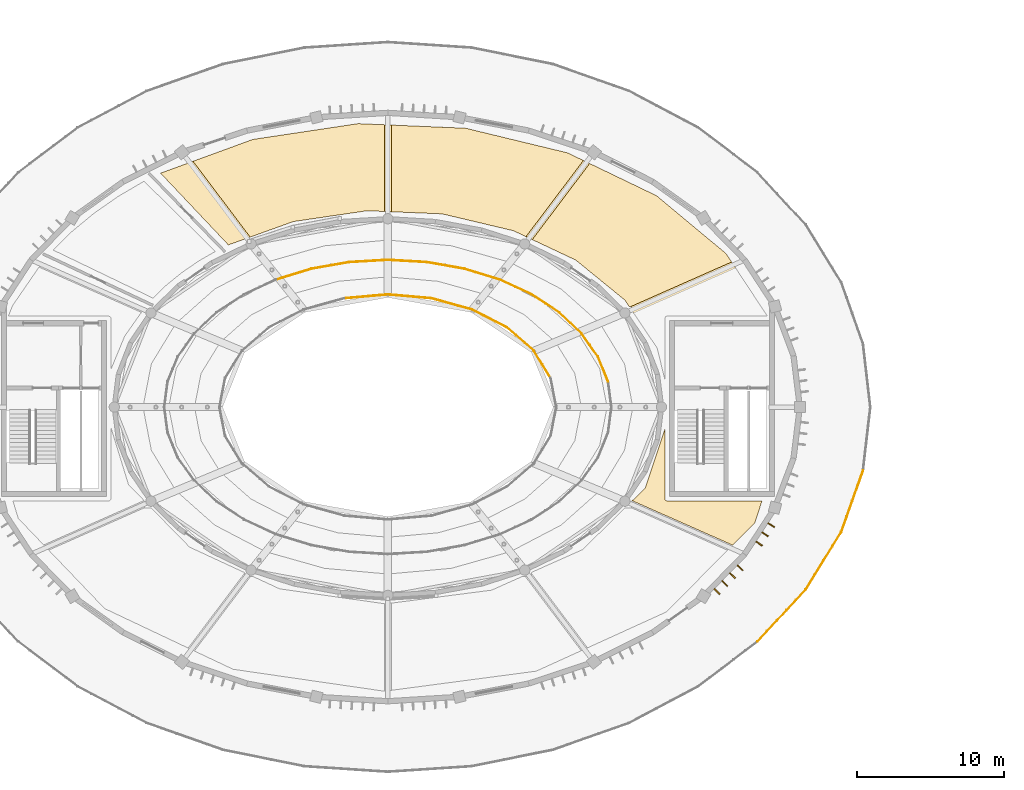
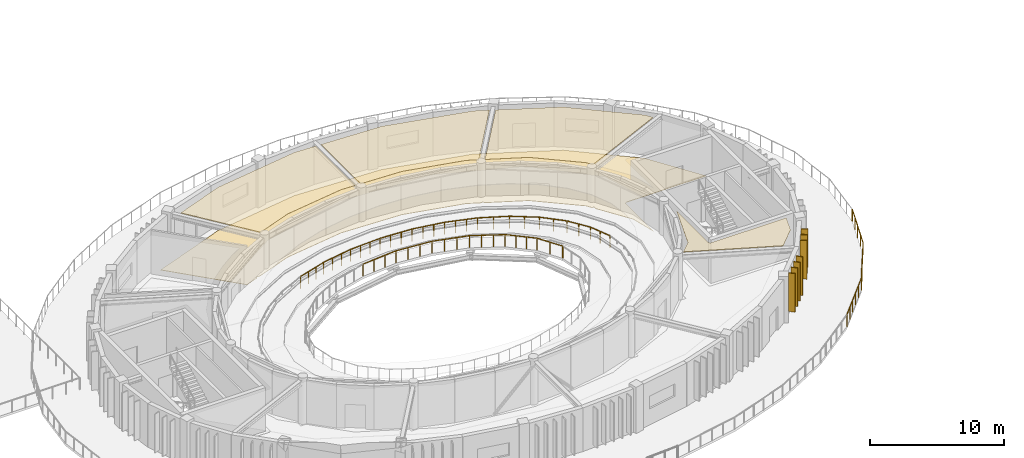
# One storey, part 58 of 63: 20 railings, 7 shading devices, 5 coverings.
"""IFC4 building model written with IfcOpenShell, lengths in metres."""

from ifc_helpers import new_model, si_unit, direction, frame, origin, origin_2d, place, context, subcontext, project, spatial, polyline, rectangle, circle, outline, extrude, material, layer, layer_set, type_object, element, save


model = new_model("IFC4")

# Units and contexts
model_context = context("Model", 3, precision=1e-05, world=origin(), true_north=direction((0.0, 1.0)))
body_context = subcontext(model_context, "Body", "Model", "MODEL_VIEW")
ifc_project = project(units=[si_unit("LENGTHUNIT", "METRE"), si_unit("AREAUNIT", "SQUARE_METRE"), si_unit("VOLUMEUNIT", "CUBIC_METRE"), si_unit("PLANEANGLEUNIT", "RADIAN"), si_unit("MASSUNIT", "GRAM", prefix="KILO")], contexts=[model_context])

# Site, building, storey
site_placement = place(None, origin())
site = spatial("IfcSite", under=ifc_project, at=site_placement, CompositionType="ELEMENT")
building_placement = place(site_placement, origin())
building = spatial("IfcBuilding", under=site, at=building_placement, Name="Tarnveldt Headland Concert Hall", CompositionType="ELEMENT")
storey_placement = place(building_placement, frame((0.0, 0.0, 14.39990234375)))
storey = spatial("IfcBuildingStorey", under=building, at=storey_placement, Name="L03", CompositionType="ELEMENT", Elevation=14.39990234375)

# Coverings
ifc_material_1 = material(Name="Micro-perforated mvule acoustic ceiling panel", Category="timber")
ifc_layer_1 = layer(ifc_material_1, 0.050048828125, Name="Micro-perforated mvule acoustic ceiling panel", Category="timber")
ifc_layer_set_1 = layer_set([ifc_layer_1], Name="Micro-perforated mvule acoustic ceiling panel")
covering_type_1 = type_object("IfcCoveringType", Name="CV-CEIL50", PredefinedType="CEILING", material=ifc_layer_set_1)
covering_1_placement = place(storey_placement, frame((0.0, 0.0, 3.91015625)))
element("IfcCovering", 1, at=covering_1_placement, inside=storey, type_object=covering_type_1, Name="Acoustic mvule ceiling L03-08-311", PredefinedType="CEILING", context=body_context, shape_type="SweptSolid", body=[
    extrude(outline(polyline([(100.978271484375, 48.989013671875), (100.988525390625, 49.00244140625), (100.99755859375, 49.016845703125), (101.005126953125, 49.031982421875), (101.01123046875, 49.0478515625), (102.320068359375, 52.966796875), (102.320068359375, 48.300048828125), (102.32080078125, 48.282470703125), (102.323486328125, 48.264892578125), (102.327880859375, 48.247802734375), (102.333740234375, 48.231201171875), (102.34130859375, 48.215087890625), (102.350341796875, 48.199951171875), (102.36083984375, 48.185791015625), (102.372802734375, 48.172607421875), (102.3857421875, 48.160888671875), (102.39990234375, 48.150390625), (102.4150390625, 48.141357421875), (102.43115234375, 48.1337890625), (102.44775390625, 48.127685546875), (102.46484375, 48.12353515625), (102.482421875, 48.120849609375), (102.5, 48.1201171875), (108.928955078125, 48.1201171875), (108.440185546875, 46.62646484375), (106.93408203125, 45.11181640625), (100.10791015625, 48.13037109375), (100.966796875, 48.9765625), (100.978271484375, 48.989013671875)])), origin(), (0.0, 0.0, 1.0), 0.050048828125),
])
covering_2_placement = place(storey_placement, frame((0.0, 0.0, 3.91015625)))
element("IfcCovering", 2, at=covering_2_placement, inside=storey, type_object=covering_type_1, Name="Acoustic mvule ceiling L03-09-313", PredefinedType="CEILING", context=body_context, shape_type="SweptSolid", body=[
    extrude(outline(polyline([(99.593505859375, 61.780517578125), (96.29638671875, 64.46826171875), (96.278564453125, 64.481201171875), (96.259521484375, 64.49169921875), (93.312255859375, 65.88232421875), (97.21240234375, 71.056884765625), (101.75830078125, 68.8671875), (106.492919921875, 64.927734375), (106.866455078125, 64.361328125), (100.056884765625, 61.35009765625), (99.892578125, 61.35009765625), (99.62890625, 61.741455078125), (99.618408203125, 61.755615234375), (99.606689453125, 61.7685546875), (99.593505859375, 61.780517578125)])), origin(), (0.0, 0.0, 1.0), 0.050048828125),
])
covering_3_placement = place(storey_placement, frame((0.0, 0.0, 3.91015625)))
element("IfcCovering", 3, at=covering_3_placement, inside=storey, type_object=covering_type_1, Name="Acoustic mvule ceiling L03-09-314", PredefinedType="CEILING", context=body_context, shape_type="SweptSolid", body=[
    extrude(outline(polyline([(87.20751953125, 67.627197265625), (87.190673828125, 67.63037109375), (87.173583984375, 67.6318359375), (83.72998046875, 67.775390625), (83.72998046875, 73.669677734375), (88.781005859375, 73.45458984375), (95.70947265625, 71.78076171875), (96.789794921875, 71.260498046875), (92.88720703125, 66.0830078125), (92.0546875, 66.475830078125), (92.037353515625, 66.48291015625), (92.019287109375, 66.48828125), (87.20751953125, 67.627197265625)])), origin(), (0.0, 0.0, 1.0), 0.050048828125),
])
covering_4_placement = place(storey_placement, frame((0.0, 0.0, 3.91015625)))
element("IfcCovering", 4, at=covering_4_placement, inside=storey, type_object=covering_type_1, Name="Acoustic mvule ceiling L03-09-315", PredefinedType="CEILING", context=body_context, shape_type="SweptSolid", body=[
    extrude(outline(polyline([(82.065673828125, 67.841796875), (77.09228515625, 67.111328125), (77.074951171875, 67.10791015625), (77.057861328125, 67.1025390625), (74.134521484375, 66.053955078125), (70.251220703125, 71.206298828125), (74.30859375, 72.69189453125), (81.4716796875, 73.765869140625), (83.27001953125, 73.689208984375), (83.27001953125, 67.794677734375), (82.099365234375, 67.843505859375), (82.08251953125, 67.843505859375), (82.065673828125, 67.841796875)])), origin(), (0.0, 0.0, 1.0), 0.050048828125),
])
ifc_material_2 = material(Name="Polished coral-aggregate cementitious terrazzo flooring", Category="concrete")
ifc_layer_2 = layer(ifc_material_2, 0.034912109375, Name="Polished coral-aggregate cementitious terrazzo flooring", Category="concrete")
ifc_layer_set_2 = layer_set([ifc_layer_2], Name="Polished coral-aggregate cementitious terrazzo flooring")
covering_type_2 = type_object("IfcCoveringType", Name="CV-FLOR35", PredefinedType="FLOORING", material=ifc_layer_set_2)
covering_5_placement = place(storey_placement, origin())
element("IfcCovering", 5, at=covering_5_placement, inside=storey, type_object=covering_type_2, Name="Architectural flooring L03-09-97", PredefinedType="FLOORING", context=body_context, shape_type="SweptSolid", body=[
    extrude(outline(polyline([(101.79052734375, 58.52880859375), (101.7822265625, 58.542236328125), (100.05810546875, 61.10400390625), (100.05810546875, 61.35009765625), (99.892578125, 61.35009765625), (99.62890625, 61.741455078125), (99.618408203125, 61.755615234375), (99.606689453125, 61.7685546875), (99.593505859375, 61.780517578125), (96.29638671875, 64.46826171875), (96.278564453125, 64.481201171875), (96.259521484375, 64.49169921875), (93.25, 65.911865234375), (93.25, 66.03515625), (92.98876953125, 66.03515625), (92.0546875, 66.475830078125), (92.037353515625, 66.48291015625), (92.019287109375, 66.48828125), (87.20751953125, 67.627197265625), (87.190673828125, 67.63037109375), (87.173583984375, 67.6318359375), (82.099365234375, 67.843505859375), (82.08251953125, 67.843505859375), (82.065673828125, 67.841796875), (77.09228515625, 67.111328125), (77.074951171875, 67.10791015625), (77.057861328125, 67.1025390625), (74.082275390625, 66.03515625), (73.75, 66.03515625), (73.75, 65.916015625), (72.652099609375, 65.52197265625), (68.045166015625, 70.3984375), (74.30859375, 72.69189453125), (81.4716796875, 73.765869140625), (88.781005859375, 73.45458984375), (95.70947265625, 71.78076171875), (101.75830078125, 68.8671875), (106.492919921875, 64.927734375), (109.294189453125, 60.679931640625), (102.5, 60.679931640625), (102.482421875, 60.67919921875), (102.46484375, 60.676513671875), (102.44775390625, 60.672119140625), (102.43115234375, 60.666259765625), (102.4150390625, 60.65869140625), (102.39990234375, 60.649658203125), (102.3857421875, 60.63916015625), (102.372802734375, 60.627197265625), (102.36083984375, 60.6142578125), (102.350341796875, 60.60009765625), (102.34130859375, 60.5849609375), (102.333740234375, 60.56884765625), (102.327880859375, 60.55224609375), (102.323486328125, 60.53515625), (102.32080078125, 60.517578125), (102.320068359375, 60.5), (102.320068359375, 56.400390625), (101.807861328125, 58.48486328125), (101.803466796875, 58.5), (101.797607421875, 58.5146484375), (101.79052734375, 58.52880859375)])), origin(), (0.0, 0.0, 1.0), 0.03515625),
])

# Railings
ifc_material_3 = material(Name="Marine stainless steel", Category="steel")
ifc_layer_3 = layer(ifc_material_3, 0.074951171875, Name="Marine stainless steel", Category="steel")
ifc_layer_set_3 = layer_set([ifc_layer_3], Name="Marine stainless steel")
railing_type_1 = type_object("IfcRailingType", Name="RL-BAL110", PredefinedType="BALUSTRADE", material=ifc_layer_set_3)
railing_1_placement = place(storey_placement, frame((108.626220703125, 38.558837890625, 0.0)))
element("IfcRailing", 6, at=railing_1_placement, inside=storey, type_object=railing_type_1, Name="GUARD Drum lookout terrace balustrade 33", PredefinedType="BALUSTRADE", context=body_context, shape_type="SweptSolid", body=[
    extrude(circle(Radius=0.02392578125, at=origin_2d()), frame((0.0, 0.0, 1.076171875), z_axis=(0.67944736966, 0.733724247835, 0.0), x_axis=(-0.733724247835, 0.67944736966, 0.0)), (0.0, 0.0, 1.0), 4.826416015625),
    extrude(circle(Radius=0.02099609375, at=origin_2d()), origin(), (0.0, 0.0, 1.0), 1.052001953125),
    extrude(circle(Radius=0.02099609375, at=origin_2d()), frame((0.65576171875, 0.708251953125, 0.0)), (0.0, 0.0, 1.0), 1.052001953125),
    extrude(circle(Radius=0.02099609375, at=origin_2d()), frame((1.311767578125, 1.41650390625, 0.0)), (0.0, 0.0, 1.0), 1.052001953125),
    extrude(circle(Radius=0.02099609375, at=origin_2d()), frame((1.967529296875, 2.124755859375, 0.0)), (0.0, 0.0, 1.0), 1.052001953125),
    extrude(circle(Radius=0.02099609375, at=origin_2d()), frame((2.62353515625, 2.8330078125, 0.0)), (0.0, 0.0, 1.0), 1.052001953125),
    extrude(circle(Radius=0.02099609375, at=origin_2d()), frame((3.279296875, 3.541259765625, 0.0)), (0.0, 0.0, 1.0), 1.052001953125),
])
railing_2_placement = place(storey_placement, frame((111.905517578125, 42.10009765625, 0.0)))
element("IfcRailing", 7, at=railing_2_placement, inside=storey, type_object=railing_type_1, Name="GUARD Drum lookout terrace balustrade 34", PredefinedType="BALUSTRADE", context=body_context, shape_type="SweptSolid", body=[
    extrude(circle(Radius=0.02392578125, at=origin_2d()), frame((0.0, 0.0, 1.076171875), z_axis=(0.524979001727, 0.851115178895, 0.0), x_axis=(-0.851115178895, 0.524979001727, 0.0)), (0.0, 0.0, 1.0), 4.60302734375),
    extrude(circle(Radius=0.02099609375, at=origin_2d()), origin(), (0.0, 0.0, 1.0), 1.052001953125),
    extrude(circle(Radius=0.02099609375, at=origin_2d()), frame((0.60400390625, 0.9794921875, 0.0)), (0.0, 0.0, 1.0), 1.052001953125),
    extrude(circle(Radius=0.02099609375, at=origin_2d()), frame((1.208251953125, 1.958984375, 0.0)), (0.0, 0.0, 1.0), 1.052001953125),
    extrude(circle(Radius=0.02099609375, at=origin_2d()), frame((1.8125, 2.938232421875, 0.0)), (0.0, 0.0, 1.0), 1.052001953125),
    extrude(circle(Radius=0.02099609375, at=origin_2d()), frame((2.41650390625, 3.917724609375, 0.0)), (0.0, 0.0, 1.0), 1.052001953125),
])
railing_3_placement = place(storey_placement, frame((114.322021484375, 46.017822265625, 0.0)))
element("IfcRailing", 8, at=railing_3_placement, inside=storey, type_object=railing_type_1, Name="GUARD Drum lookout terrace balustrade 35", PredefinedType="BALUSTRADE", context=body_context, shape_type="SweptSolid", body=[
    extrude(circle(Radius=0.02392578125, at=origin_2d()), frame((0.0, 0.0, 1.076171875), z_axis=(0.334010357608, 0.942569403816, 0.0), x_axis=(-0.942569403816, 0.334010357608, 0.0)), (0.0, 0.0, 1.0), 4.43017578125),
    extrude(circle(Radius=0.02099609375, at=origin_2d()), origin(), (0.0, 0.0, 1.0), 1.052001953125),
    extrude(circle(Radius=0.02099609375, at=origin_2d()), frame((0.369873046875, 1.0439453125, 0.0)), (0.0, 0.0, 1.0), 1.052001953125),
    extrude(circle(Radius=0.02099609375, at=origin_2d()), frame((0.73974609375, 2.087890625, 0.0)), (0.0, 0.0, 1.0), 1.052001953125),
    extrude(circle(Radius=0.02099609375, at=origin_2d()), frame((1.10986328125, 3.1318359375, 0.0)), (0.0, 0.0, 1.0), 1.052001953125),
    extrude(circle(Radius=0.02099609375, at=origin_2d()), frame((1.479736328125, 4.17578125, 0.0)), (0.0, 0.0, 1.0), 1.052001953125),
])
ifc_layer_4 = layer(ifc_material_3, 0.06005859375, Name="Marine stainless steel", Category="steel")
ifc_layer_set_4 = layer_set([ifc_layer_4], Name="Marine stainless steel")
railing_type_2 = type_object("IfcRailingType", Name="RL-GRD110", PredefinedType="GUARDRAIL", material=ifc_layer_set_4)
railing_4_placement = place(storey_placement, frame((94.559814453125, 56.47998046875, 0.280029296875)))
element("IfcRailing", 9, at=railing_4_placement, inside=storey, type_object=railing_type_2, Name="GUARD Symphony tier sightline guardrail L03 2", PredefinedType="GUARDRAIL", context=body_context, shape_type="SweptSolid", body=[
    extrude(circle(Radius=0.02392578125, at=origin_2d()), frame((0.0, 0.0, 1.076171875), z_axis=(-0.526912047172, 0.849919816538, 0.0), x_axis=(-0.849919816538, -0.526912047172, 0.0)), (0.0, 0.0, 1.0), 2.170654296875),
    extrude(circle(Radius=0.02099609375, at=origin_2d()), origin(), (0.0, 0.0, 1.0), 1.052001953125),
    extrude(circle(Radius=0.02099609375, at=origin_2d()), frame((-0.57177734375, 0.92236328125, 0.0)), (0.0, 0.0, 1.0), 1.052001953125),
    extrude(circle(Radius=0.02099609375, at=origin_2d()), frame((-1.143798828125, 1.844970703125, 0.0)), (0.0, 0.0, 1.0), 1.052001953125),
])
railing_5_placement = place(storey_placement, frame((93.416015625, 58.324951171875, 0.280029296875)))
element("IfcRailing", 10, at=railing_5_placement, inside=storey, type_object=railing_type_2, Name="GUARD Symphony tier sightline guardrail L03 3", PredefinedType="GUARDRAIL", context=body_context, shape_type="SweptSolid", body=[
    extrude(circle(Radius=0.02392578125, at=origin_2d()), frame((0.0, 0.0, 1.076171875), z_axis=(-0.754147872627, 0.656704641534, 0.0), x_axis=(-0.656704641534, -0.754147872627, 0.0)), (0.0, 0.0, 1.0), 2.412841796875),
    extrude(circle(Radius=0.02099609375, at=origin_2d()), origin(), (0.0, 0.0, 1.0), 1.052001953125),
    extrude(circle(Radius=0.02099609375, at=origin_2d()), frame((-0.6064453125, 0.528076171875, 0.0)), (0.0, 0.0, 1.0), 1.052001953125),
    extrude(circle(Radius=0.02099609375, at=origin_2d()), frame((-1.213134765625, 1.056396484375, 0.0)), (0.0, 0.0, 1.0), 1.052001953125),
    extrude(circle(Radius=0.02099609375, at=origin_2d()), frame((-1.819580078125, 1.58447265625, 0.0)), (0.0, 0.0, 1.0), 1.052001953125),
])
railing_6_placement = place(storey_placement, frame((91.596435546875, 59.909423828125, 0.280029296875)))
element("IfcRailing", 11, at=railing_6_placement, inside=storey, type_object=railing_type_2, Name="GUARD Symphony tier sightline guardrail L03 4", PredefinedType="GUARDRAIL", context=body_context, shape_type="SweptSolid", body=[
    extrude(circle(Radius=0.02392578125, at=origin_2d()), frame((0.0, 0.0, 1.076171875), z_axis=(-0.889892806019, 0.456169698463, 0.0), x_axis=(-0.456169698463, -0.889892806019, 0.0)), (0.0, 0.0, 1.0), 2.664794921875),
    extrude(circle(Radius=0.02099609375, at=origin_2d()), origin(), (0.0, 0.0, 1.0), 1.052001953125),
    extrude(circle(Radius=0.02099609375, at=origin_2d()), frame((-0.79052734375, 0.4052734375, 0.0)), (0.0, 0.0, 1.0), 1.052001953125),
    extrude(circle(Radius=0.02099609375, at=origin_2d()), frame((-1.580810546875, 0.810302734375, 0.0)), (0.0, 0.0, 1.0), 1.052001953125),
    extrude(circle(Radius=0.02099609375, at=origin_2d()), frame((-2.371337890625, 1.215576171875, 0.0)), (0.0, 0.0, 1.0), 1.052001953125),
])
railing_7_placement = place(storey_placement, frame((89.22509765625, 61.125, 0.280029296875)))
element("IfcRailing", 12, at=railing_7_placement, inside=storey, type_object=railing_type_2, Name="GUARD Symphony tier sightline guardrail L03 5", PredefinedType="GUARDRAIL", context=body_context, shape_type="SweptSolid", body=[
    extrude(circle(Radius=0.02392578125, at=origin_2d()), frame((0.0, 0.0, 1.076171875), z_axis=(-0.963764063419, 0.266756124696, 0.0), x_axis=(-0.266756124696, -0.963764063419, 0.0)), (0.0, 0.0, 1.0), 2.865478515625),
    extrude(circle(Radius=0.02099609375, at=origin_2d()), origin(), (0.0, 0.0, 1.0), 1.052001953125),
    extrude(circle(Radius=0.02099609375, at=origin_2d()), frame((-0.920654296875, 0.2548828125, 0.0)), (0.0, 0.0, 1.0), 1.052001953125),
    extrude(circle(Radius=0.02099609375, at=origin_2d()), frame((-1.841064453125, 0.509521484375, 0.0)), (0.0, 0.0, 1.0), 1.052001953125),
    extrude(circle(Radius=0.02099609375, at=origin_2d()), frame((-2.76171875, 0.764404296875, 0.0)), (0.0, 0.0, 1.0), 1.052001953125),
])
railing_8_placement = place(storey_placement, frame((86.46337890625, 61.889404296875, 0.280029296875)))
element("IfcRailing", 13, at=railing_8_placement, inside=storey, type_object=railing_type_2, Name="GUARD Symphony tier sightline guardrail L03 6", PredefinedType="GUARDRAIL", context=body_context, shape_type="SweptSolid", body=[
    extrude(circle(Radius=0.02392578125, at=origin_2d()), frame((0.0, 0.0, 1.076171875), z_axis=(-0.996158538672, 0.087568063994, 0.0), x_axis=(-0.087568063994, -0.996158538672, 0.0)), (0.0, 0.0, 1.0), 2.974853515625),
    extrude(circle(Radius=0.02099609375, at=origin_2d()), origin(), (0.0, 0.0, 1.0), 1.052001953125),
    extrude(circle(Radius=0.02099609375, at=origin_2d()), frame((-0.98779296875, 0.0869140625, 0.0)), (0.0, 0.0, 1.0), 1.052001953125),
    extrude(circle(Radius=0.02099609375, at=origin_2d()), frame((-1.9755859375, 0.173583984375, 0.0)), (0.0, 0.0, 1.0), 1.052001953125),
    extrude(circle(Radius=0.02099609375, at=origin_2d()), frame((-2.96337890625, 0.260498046875, 0.0)), (0.0, 0.0, 1.0), 1.052001953125),
])
railing_9_placement = place(storey_placement, frame((83.5, 62.14990234375, 0.280029296875)))
element("IfcRailing", 14, at=railing_9_placement, inside=storey, type_object=railing_type_2, Name="GUARD Symphony tier sightline guardrail L03 7", PredefinedType="GUARDRAIL", context=body_context, shape_type="SweptSolid", body=[
    extrude(circle(Radius=0.02392578125, at=origin_2d()), frame((0.0, 0.0, 1.076171875), z_axis=(-0.996158538672, -0.087568063994, 0.0), x_axis=(0.087568063994, -0.996158538672, 0.0)), (0.0, 0.0, 1.0), 2.974853515625),
    extrude(circle(Radius=0.02099609375, at=origin_2d()), origin(), (0.0, 0.0, 1.0), 1.052001953125),
    extrude(circle(Radius=0.02099609375, at=origin_2d()), frame((-0.98779296875, -0.0869140625, 0.0)), (0.0, 0.0, 1.0), 1.052001953125),
    extrude(circle(Radius=0.02099609375, at=origin_2d()), frame((-1.9755859375, -0.173583984375, 0.0)), (0.0, 0.0, 1.0), 1.052001953125),
    extrude(circle(Radius=0.02099609375, at=origin_2d()), frame((-2.96337890625, -0.260498046875, 0.0)), (0.0, 0.0, 1.0), 1.052001953125),
])
railing_10_placement = place(storey_placement, frame((98.468994140625, 56.236572265625, 0.0)))
element("IfcRailing", 15, at=railing_10_placement, inside=storey, type_object=railing_type_2, Name="GUARD Auditorium void guardrail L03 2", PredefinedType="GUARDRAIL", context=body_context, shape_type="SweptSolid", body=[
    extrude(circle(Radius=0.02392578125, at=origin_2d()), frame((0.0, 0.0, 1.076171875), z_axis=(-0.377241429706, 0.926114951674, 0.0), x_axis=(-0.926114951674, -0.377241429706, 0.0)), (0.0, 0.0, 1.0), 1.81787109375),
    extrude(circle(Radius=0.02099609375, at=origin_2d()), origin(), (0.0, 0.0, 1.0), 1.052001953125),
    extrude(circle(Radius=0.02099609375, at=origin_2d()), frame((-0.3427734375, 0.841796875, 0.0)), (0.0, 0.0, 1.0), 1.052001953125),
    extrude(circle(Radius=0.02099609375, at=origin_2d()), frame((-0.685791015625, 1.68359375, 0.0)), (0.0, 0.0, 1.0), 1.052001953125),
])
railing_11_placement = place(storey_placement, frame((97.783203125, 57.920166015625, 0.0)))
element("IfcRailing", 16, at=railing_11_placement, inside=storey, type_object=railing_type_2, Name="GUARD Auditorium void guardrail L03 3", PredefinedType="GUARDRAIL", context=body_context, shape_type="SweptSolid", body=[
    extrude(circle(Radius=0.02392578125, at=origin_2d()), frame((0.0, 0.0, 1.076171875), z_axis=(-0.578216724182, 0.815883214606, 0.0), x_axis=(-0.815883214606, -0.578216724182, 0.0)), (0.0, 0.0, 1.0), 1.936279296875),
    extrude(circle(Radius=0.02099609375, at=origin_2d()), origin(), (0.0, 0.0, 1.0), 1.052001953125),
    extrude(circle(Radius=0.02099609375, at=origin_2d()), frame((-0.559814453125, 0.7900390625, 0.0)), (0.0, 0.0, 1.0), 1.052001953125),
    extrude(circle(Radius=0.02099609375, at=origin_2d()), frame((-1.11962890625, 1.579833984375, 0.0)), (0.0, 0.0, 1.0), 1.052001953125),
])
railing_12_placement = place(storey_placement, frame((96.66357421875, 59.5, 0.0)))
element("IfcRailing", 17, at=railing_12_placement, inside=storey, type_object=railing_type_2, Name="GUARD Auditorium void guardrail L03 4", PredefinedType="GUARDRAIL", context=body_context, shape_type="SweptSolid", body=[
    extrude(circle(Radius=0.02392578125, at=origin_2d()), frame((0.0, 0.0, 1.076171875), z_axis=(-0.728773712747, 0.684754609776, 0.0), x_axis=(-0.684754609776, -0.728773712747, 0.0)), (0.0, 0.0, 1.0), 2.08544921875),
    extrude(circle(Radius=0.02099609375, at=origin_2d()), origin(), (0.0, 0.0, 1.0), 1.052001953125),
    extrude(circle(Radius=0.02099609375, at=origin_2d()), frame((-0.759765625, 0.7138671875, 0.0)), (0.0, 0.0, 1.0), 1.052001953125),
    extrude(circle(Radius=0.02099609375, at=origin_2d()), frame((-1.519775390625, 1.427978515625, 0.0)), (0.0, 0.0, 1.0), 1.052001953125),
])
railing_13_placement = place(storey_placement, frame((95.143798828125, 60.927978515625, 0.0)))
element("IfcRailing", 18, at=railing_13_placement, inside=storey, type_object=railing_type_2, Name="GUARD Auditorium void guardrail L03 5", PredefinedType="GUARDRAIL", context=body_context, shape_type="SweptSolid", body=[
    extrude(circle(Radius=0.02392578125, at=origin_2d()), frame((0.0, 0.0, 1.076171875), z_axis=(-0.835418397825, 0.549614501788, 0.0), x_axis=(-0.549614501788, -0.835418397825, 0.0)), (0.0, 0.0, 1.0), 2.242431640625),
    extrude(circle(Radius=0.02099609375, at=origin_2d()), origin(), (0.0, 0.0, 1.0), 1.052001953125),
    extrude(circle(Radius=0.02099609375, at=origin_2d()), frame((-0.9365234375, 0.6162109375, 0.0)), (0.0, 0.0, 1.0), 1.052001953125),
    extrude(circle(Radius=0.02099609375, at=origin_2d()), frame((-1.873291015625, 1.232421875, 0.0)), (0.0, 0.0, 1.0), 1.052001953125),
])
railing_14_placement = place(storey_placement, frame((93.2705078125, 62.160400390625, 0.0)))
element("IfcRailing", 19, at=railing_14_placement, inside=storey, type_object=railing_type_2, Name="GUARD Auditorium void guardrail L03 6", PredefinedType="GUARDRAIL", context=body_context, shape_type="SweptSolid", body=[
    extrude(circle(Radius=0.02392578125, at=origin_2d()), frame((0.0, 0.0, 1.076171875), z_axis=(-0.908234283008, 0.418462049854, 0.0), x_axis=(-0.418462049854, -0.908234283008, 0.0)), (0.0, 0.0, 1.0), 2.3896484375),
    extrude(circle(Radius=0.02099609375, at=origin_2d()), origin(), (0.0, 0.0, 1.0), 1.052001953125),
    extrude(circle(Radius=0.02099609375, at=origin_2d()), frame((-1.085205078125, 0.5, 0.0)), (0.0, 0.0, 1.0), 1.052001953125),
    extrude(circle(Radius=0.02099609375, at=origin_2d()), frame((-2.17041015625, 1.0, 0.0)), (0.0, 0.0, 1.0), 1.052001953125),
])
railing_15_placement = place(storey_placement, frame((91.10009765625, 63.160400390625, 0.0)))
element("IfcRailing", 20, at=railing_15_placement, inside=storey, type_object=railing_type_2, Name="GUARD Auditorium void guardrail L03 7", PredefinedType="GUARDRAIL", context=body_context, shape_type="SweptSolid", body=[
    extrude(circle(Radius=0.02392578125, at=origin_2d()), frame((0.0, 0.0, 1.076171875), z_axis=(-0.956037133001, 0.293245631381, 0.0), x_axis=(-0.293245631381, -0.956037133001, 0.0)), (0.0, 0.0, 1.0), 2.51171875),
    extrude(circle(Radius=0.02099609375, at=origin_2d()), origin(), (0.0, 0.0, 1.0), 1.052001953125),
    extrude(circle(Radius=0.02099609375, at=origin_2d()), frame((-0.800537109375, 0.24560546875, 0.0)), (0.0, 0.0, 1.0), 1.052001953125),
    extrude(circle(Radius=0.02099609375, at=origin_2d()), frame((-1.600830078125, 0.490966796875, 0.0)), (0.0, 0.0, 1.0), 1.052001953125),
    extrude(circle(Radius=0.02099609375, at=origin_2d()), frame((-2.4013671875, 0.736572265625, 0.0)), (0.0, 0.0, 1.0), 1.052001953125),
])
railing_16_placement = place(storey_placement, frame((88.69873046875, 63.89697265625, 0.0)))
element("IfcRailing", 21, at=railing_16_placement, inside=storey, type_object=railing_type_2, Name="GUARD Auditorium void guardrail L03 8", PredefinedType="GUARDRAIL", context=body_context, shape_type="SweptSolid", body=[
    extrude(circle(Radius=0.02392578125, at=origin_2d()), frame((0.0, 0.0, 1.076171875), z_axis=(-0.984814752515, 0.173608476834, 0.0), x_axis=(-0.173608476834, -0.984814752515, 0.0)), (0.0, 0.0, 1.0), 2.598876953125),
    extrude(circle(Radius=0.02099609375, at=origin_2d()), origin(), (0.0, 0.0, 1.0), 1.052001953125),
    extrude(circle(Radius=0.02099609375, at=origin_2d()), frame((-0.85302734375, 0.150390625, 0.0)), (0.0, 0.0, 1.0), 1.052001953125),
    extrude(circle(Radius=0.02099609375, at=origin_2d()), frame((-1.706298828125, 0.30078125, 0.0)), (0.0, 0.0, 1.0), 1.052001953125),
    extrude(circle(Radius=0.02099609375, at=origin_2d()), frame((-2.559326171875, 0.451171875, 0.0)), (0.0, 0.0, 1.0), 1.052001953125),
])
railing_17_placement = place(storey_placement, frame((86.139404296875, 64.34814453125, 0.0)))
element("IfcRailing", 22, at=railing_17_placement, inside=storey, type_object=railing_type_2, Name="GUARD Auditorium void guardrail L03 9", PredefinedType="GUARDRAIL", context=body_context, shape_type="SweptSolid", body=[
    extrude(circle(Radius=0.02392578125, at=origin_2d()), frame((0.0, 0.0, 1.076171875), z_axis=(-0.99834901745, 0.057439005536, 0.0), x_axis=(-0.057439005536, -0.99834901745, 0.0)), (0.0, 0.0, 1.0), 2.643798828125),
    extrude(circle(Radius=0.02099609375, at=origin_2d()), origin(), (0.0, 0.0, 1.0), 1.052001953125),
    extrude(circle(Radius=0.02099609375, at=origin_2d()), frame((-0.8798828125, 0.050537109375, 0.0)), (0.0, 0.0, 1.0), 1.052001953125),
    extrude(circle(Radius=0.02099609375, at=origin_2d()), frame((-1.759521484375, 0.101318359375, 0.0)), (0.0, 0.0, 1.0), 1.052001953125),
    extrude(circle(Radius=0.02099609375, at=origin_2d()), frame((-2.639404296875, 0.15185546875, 0.0)), (0.0, 0.0, 1.0), 1.052001953125),
])
railing_18_placement = place(storey_placement, frame((83.5, 64.5, 0.0)))
element("IfcRailing", 23, at=railing_18_placement, inside=storey, type_object=railing_type_2, Name="GUARD Auditorium void guardrail L03 10", PredefinedType="GUARDRAIL", context=body_context, shape_type="SweptSolid", body=[
    extrude(circle(Radius=0.02392578125, at=origin_2d()), frame((0.0, 0.0, 1.076171875), z_axis=(-0.99834901745, -0.057439005536, 0.0), x_axis=(0.057439005536, -0.99834901745, 0.0)), (0.0, 0.0, 1.0), 2.643798828125),
    extrude(circle(Radius=0.02099609375, at=origin_2d()), origin(), (0.0, 0.0, 1.0), 1.052001953125),
    extrude(circle(Radius=0.02099609375, at=origin_2d()), frame((-0.8798828125, -0.050537109375, 0.0)), (0.0, 0.0, 1.0), 1.052001953125),
    extrude(circle(Radius=0.02099609375, at=origin_2d()), frame((-1.759521484375, -0.101318359375, 0.0)), (0.0, 0.0, 1.0), 1.052001953125),
    extrude(circle(Radius=0.02099609375, at=origin_2d()), frame((-2.639404296875, -0.15185546875, 0.0)), (0.0, 0.0, 1.0), 1.052001953125),
])
railing_19_placement = place(storey_placement, frame((80.860595703125, 64.34814453125, 0.0)))
element("IfcRailing", 24, at=railing_19_placement, inside=storey, type_object=railing_type_2, Name="GUARD Auditorium void guardrail L03 11", PredefinedType="GUARDRAIL", context=body_context, shape_type="SweptSolid", body=[
    extrude(circle(Radius=0.02392578125, at=origin_2d()), frame((0.0, 0.0, 1.076171875), z_axis=(-0.984814752515, -0.173608476834, 0.0), x_axis=(0.173608476834, -0.984814752515, 0.0)), (0.0, 0.0, 1.0), 2.598876953125),
    extrude(circle(Radius=0.02099609375, at=origin_2d()), origin(), (0.0, 0.0, 1.0), 1.052001953125),
    extrude(circle(Radius=0.02099609375, at=origin_2d()), frame((-0.85302734375, -0.150390625, 0.0)), (0.0, 0.0, 1.0), 1.052001953125),
    extrude(circle(Radius=0.02099609375, at=origin_2d()), frame((-1.706298828125, -0.30078125, 0.0)), (0.0, 0.0, 1.0), 1.052001953125),
    extrude(circle(Radius=0.02099609375, at=origin_2d()), frame((-2.559326171875, -0.451171875, 0.0)), (0.0, 0.0, 1.0), 1.052001953125),
])
railing_20_placement = place(storey_placement, frame((78.30126953125, 63.89697265625, 0.0)))
element("IfcRailing", 25, at=railing_20_placement, inside=storey, type_object=railing_type_2, Name="GUARD Auditorium void guardrail L03 12", PredefinedType="GUARDRAIL", context=body_context, shape_type="SweptSolid", body=[
    extrude(circle(Radius=0.02392578125, at=origin_2d()), frame((0.0, 0.0, 1.076171875), z_axis=(-0.956037133001, -0.293245631381, 0.0), x_axis=(0.293245631381, -0.956037133001, 0.0)), (0.0, 0.0, 1.0), 2.51171875),
    extrude(circle(Radius=0.02099609375, at=origin_2d()), origin(), (0.0, 0.0, 1.0), 1.052001953125),
    extrude(circle(Radius=0.02099609375, at=origin_2d()), frame((-0.800537109375, -0.24560546875, 0.0)), (0.0, 0.0, 1.0), 1.052001953125),
    extrude(circle(Radius=0.02099609375, at=origin_2d()), frame((-1.600830078125, -0.490966796875, 0.0)), (0.0, 0.0, 1.0), 1.052001953125),
    extrude(circle(Radius=0.02099609375, at=origin_2d()), frame((-2.4013671875, -0.736572265625, 0.0)), (0.0, 0.0, 1.0), 1.052001953125),
])

# Shading devices
ifc_material_4 = material(Name="Terracotta-anodised aluminium EN AW-6063-T6", Category="masonry")
shading_device_type = type_object("IfcShadingDeviceType", Name="SD-FIN520", PredefinedType="USERDEFINED", material=ifc_material_4)
for number, where, z_axis, x_axis, name in (
    (26, (105.868408203125, 41.9677734375, 0.25), (0.0, 0.0, 1.0), (0.714106238843, -0.700037341608, 0.0), "Drum terracotta acoustic solar fin L03-83"),
    (27, (106.3935546875, 42.50341796875, 0.25), (0.0, 0.0, 1.0), (0.714106238843, -0.700037341608, 0.0), "Drum terracotta acoustic solar fin L03-84"),
    (28, (106.91845703125, 43.038818359375, 0.25), (0.0, 0.0, 1.0), (0.714106238843, -0.700037341608, 0.0), "Drum terracotta acoustic solar fin L03-85"),
    (29, (107.443603515625, 43.574462890625, 0.25), (0.0, 0.0, 1.0), (0.714106238843, -0.700037341608, 0.0), "Drum terracotta acoustic solar fin L03-86"),
    (30, (108.72998046875, 45.216796875, 0.25), (0.0, 0.0, 1.0), (0.837337261414, -0.546686665878, 0.0), "Drum terracotta acoustic solar fin L03-87"),
    (31, (109.14013671875, 45.8447265625, 0.25), (0.0, 0.0, 1.0), (0.837337261414, -0.546686665878, 0.0), "Drum terracotta acoustic solar fin L03-88"),
    (32, (109.550048828125, 46.472900390625, 0.25), (0.0, 0.0, 1.0), (0.837337261414, -0.546686665878, 0.0), "Drum terracotta acoustic solar fin L03-89"),
):
    element("IfcShadingDevice", number, at=place(storey_placement, frame(where, z_axis=z_axis, x_axis=x_axis)), inside=storey, type_object=shading_device_type, Name=name, ObjectType="FIN", PredefinedType="USERDEFINED", context=body_context, shape_type="SweptSolid", body=[
        extrude(rectangle(XDim=0.52001953125, YDim=0.080078125, at=origin_2d()), origin(), (0.0, 0.0, 1.0), 3.5),
    ])

save(model, "model.ifc")
